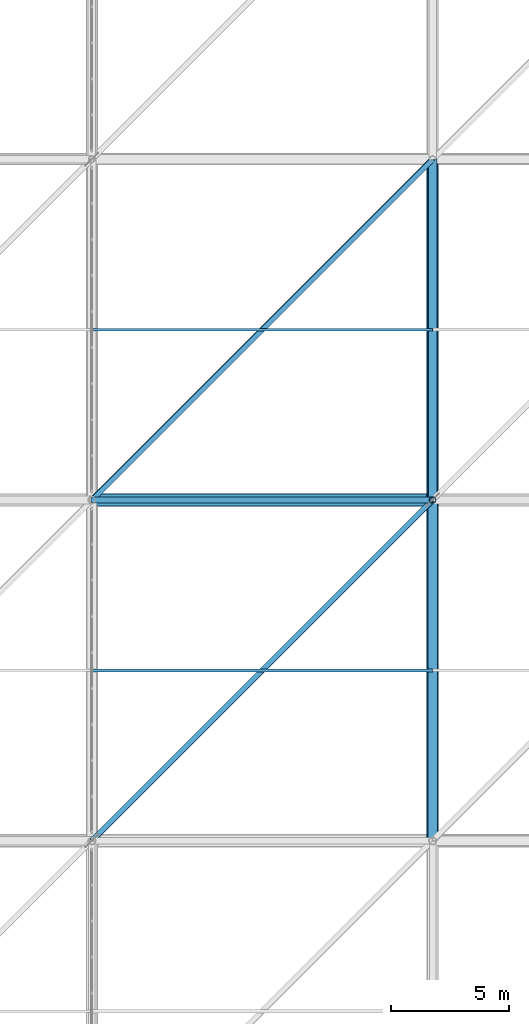
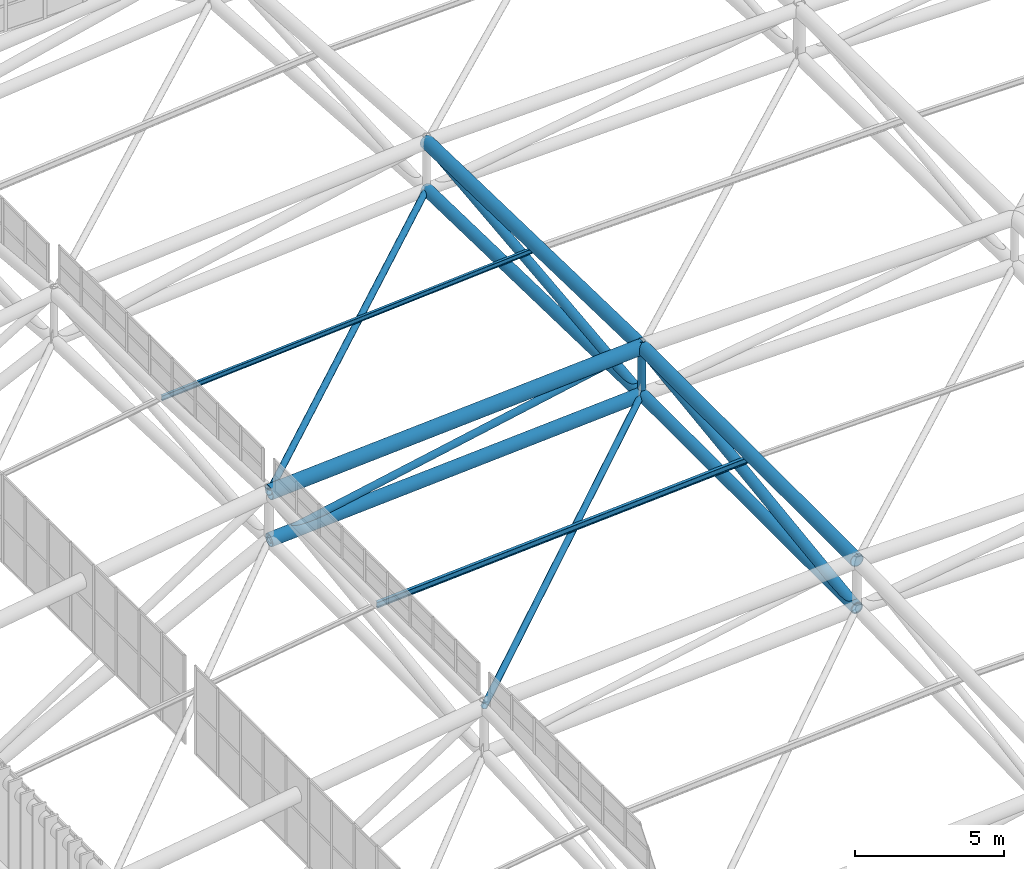
# One storey, part 204 of 397: 8 members, 6 beams.
"""IFC4 building model written with IfcOpenShell, lengths in metres."""

import ifcopenshell
import ifcopenshell.guid

model = None  # the IFC model being written
_history = None  # IfcOwnerHistory: only IFC2X3 demands one
_inside = {}  # id of a spatial element -> (the spatial element, [elements in it])
_under = {}  # id of a project, library or spatial element -> (it, [spatial elements below it])
_declared = {}  # id of a project -> (the project, [libraries it declares])
_typed = {}  # id of a type object -> (the type object, [elements of that type])
_made_of = {}  # id of a material, layer set ... -> (it, [elements and type objects made of it])


def new_model(schema):
    """Start an empty IFC model of exactly this schema.

    Asked for "IFC4X3", IfcOpenShell would pick the latest addendum, in which some entities
    have other attributes; the version numbers below select the first issue.
    IFC2X3 requires an IfcOwnerHistory on every rooted entity: one is made here for all.
    """
    global model, _history
    if schema == "IFC4X3":
        model = ifcopenshell.file(schema_version=(4, 3, 0, 0))
    else:
        model = ifcopenshell.file(schema=schema)
    _inside.clear()
    _under.clear()
    _declared.clear()
    _typed.clear()
    _made_of.clear()
    _history = None
    if model.schema == "IFC2X3":
        org = make("IfcOrganization", Name="unknown")
        user = make(
            "IfcPersonAndOrganization",
            ThePerson=make("IfcPerson", FamilyName="unknown"),
            TheOrganization=org,
        )
        app = make(
            "IfcApplication",
            ApplicationDeveloper=org,
            Version="unknown",
            ApplicationFullName="unknown",
            ApplicationIdentifier="unknown",
        )
        _history = make(
            "IfcOwnerHistory",
            OwningUser=user,
            OwningApplication=app,
            ChangeAction="ADDED",
            CreationDate=0,
        )
    return model


def make(cls, **values):
    """One entity of the class cls with the attributes given. An attribute that is None is left unset."""
    return model.create_entity(
        cls, **{name: value for name, value in values.items() if value is not None}
    )


def rooted(cls, **values):
    """An entity with a GlobalId (a new one), such as an element, a storey or a relation."""
    return make(cls, GlobalId=ifcopenshell.guid.new(), OwnerHistory=_history, **values)


def si_unit(unit_type, name, prefix=None):
    """IfcSIUnit, for example si_unit("LENGTHUNIT", "METRE", prefix="MILLI")."""
    return make("IfcSIUnit", UnitType=unit_type, Prefix=prefix, Name=name)


def assignment(units):
    """IfcUnitAssignment: the units of a project."""
    return None if units is None else make("IfcUnitAssignment", Units=units)


def point(xyz):
    """IfcCartesianPoint."""
    return None if xyz is None else make("IfcCartesianPoint", Coordinates=xyz)


def direction(xyz):
    """IfcDirection."""
    return None if xyz is None else make("IfcDirection", DirectionRatios=xyz)


def frame(location, z_axis=None, x_axis=None):
    """IfcAxis2Placement3D, a coordinate frame: its origin and axes. An axis left out is left unset."""
    return make(
        "IfcAxis2Placement3D",
        Location=point(location),
        Axis=direction(z_axis),
        RefDirection=direction(x_axis),
    )


def frame_2d(location, x_axis=None):
    """IfcAxis2Placement2D, a coordinate frame in the plane: its origin and x axis."""
    return make(
        "IfcAxis2Placement2D", Location=point(location), RefDirection=direction(x_axis)
    )


def origin():
    """The frame at (0, 0, 0) with its axes left unset."""
    return frame((0.0, 0.0, 0.0))


def origin_2d():
    """The frame at (0, 0) in the plane with its x axis left unset."""
    return frame_2d((0.0, 0.0))


def place(relative_to, where):
    """IfcLocalPlacement: puts the frame where relative to a parent placement (None: the world)."""
    return make(
        "IfcLocalPlacement", PlacementRelTo=relative_to, RelativePlacement=where
    )


def context(
    kind, dimensions, precision=None, world=None, true_north=None, identifier=None
):
    """IfcGeometricRepresentationContext, for example the 3D "Model" context."""
    return make(
        "IfcGeometricRepresentationContext",
        ContextIdentifier=identifier,
        ContextType=kind,
        CoordinateSpaceDimension=dimensions,
        Precision=precision,
        WorldCoordinateSystem=world,
        TrueNorth=true_north,
    )


def subcontext(parent, identifier, kind, view, scale=None):
    """IfcGeometricRepresentationSubContext, for example "Body" below "Model"."""
    return make(
        "IfcGeometricRepresentationSubContext",
        ContextIdentifier=identifier,
        ContextType=kind,
        ParentContext=parent,
        TargetScale=scale,
        TargetView=view,
    )


def project(units=None, contexts=None):
    """IfcProject with its units and contexts."""
    return rooted(
        "IfcProject",
        Name="project",
        RepresentationContexts=contexts,
        UnitsInContext=assignment(units),
    )


def spatial(cls, under=None, at=None, **own):
    """A site, building, storey or space (cls), placed at a placement, below another one or the project."""
    s = rooted(cls, ObjectPlacement=at, **own)
    if under is not None:
        _under.setdefault(under.id(), (under, []))[1].append(s)
    return s


def profile(cls, at=None, kind="AREA", **sizes):
    """A parametric profile (cls). Its sizes go by their IFC names, for example OverallWidth=200.0."""
    return make(cls, ProfileType=kind, Position=at, **sizes)


def hollow_circle(**sizes):
    """IfcCircleHollowProfileDef."""
    return profile("IfcCircleHollowProfileDef", **sizes)


def i_section(**sizes):
    """IfcIShapeProfileDef."""
    return profile("IfcIShapeProfileDef", **sizes)


def extrude(swept, where, along, depth):
    """IfcExtrudedAreaSolid: the profile swept, set in the frame where, extruded along a direction by depth."""
    return make(
        "IfcExtrudedAreaSolid",
        SweptArea=swept,
        Position=where,
        ExtrudedDirection=direction(along),
        Depth=depth,
    )


def shape(context_of_items, identifier, shape_type, items):
    """IfcShapeRepresentation: the items that make up one representation, for example the "Body"."""
    return make(
        "IfcShapeRepresentation",
        ContextOfItems=context_of_items,
        RepresentationIdentifier=identifier,
        RepresentationType=shape_type,
        Items=items,
    )


def material(Name=None, Category=None):
    """IfcMaterial."""
    return make("IfcMaterial", Name=Name, Category=Category)


def material_profile(
    of_material, cross_section, Name=None, Category=None, Priority=None
):
    """IfcMaterialProfile: a cross section and its material."""
    return make(
        "IfcMaterialProfile",
        Name=Name,
        Material=of_material,
        Profile=cross_section,
        Priority=Priority,
        Category=Category,
    )


def profile_set(profiles, Name=None, composite=None):
    """IfcMaterialProfileSet."""
    return make(
        "IfcMaterialProfileSet",
        Name=Name,
        MaterialProfiles=profiles,
        CompositeProfile=composite,
    )


def made_of(thing, what):
    """Note that an element or type object is made of a material, layer set ...; save() writes the relation."""
    if what is not None:
        _made_of.setdefault(what.id(), (what, []))[1].append(thing)
    return thing


def type_object(cls, material=None, **own):
    """A type object (cls), such as IfcWallType, which elements share."""
    return made_of(rooted(cls, **own), material)


def element(
    cls,
    number,
    at=None,
    inside=None,
    cuts=None,
    type_object=None,
    material=None,
    context=None,
    identifier="Body",
    shape_type=None,
    held_by="IfcProductDefinitionShape",
    body=None,
    shapes=None,
    **own,
):
    """One element of the class cls, such as IfcWall. Its Tag is "e" and its number.

    at: its placement. inside: the storey or other place that contains it. cuts: it is an
    opening in that element (IfcRelVoidsElement). A single representation is given by context,
    identifier, shape_type and body (its items); several are given by shapes. held_by: the class
    of the entity that holds the representations. save() writes the other relations.
    """
    e = rooted(cls, Tag="e%d" % number, ObjectPlacement=at, **own)
    if body is not None:
        shapes = [shape(context, identifier, shape_type, body)]
    if shapes is not None:
        e.Representation = make(held_by, Representations=shapes)
    if inside is not None:
        _inside.setdefault(inside.id(), (inside, []))[1].append(e)
    if cuts is not None:
        rooted(
            "IfcRelVoidsElement", RelatingBuildingElement=cuts, RelatedOpeningElement=e
        )
    if type_object is not None:
        _typed.setdefault(type_object.id(), (type_object, []))[1].append(e)
    return made_of(e, material)


def aggregate(whole, parts):
    """IfcRelAggregates: a whole, such as a stair, and the parts it consists of."""
    return rooted("IfcRelAggregates", RelatingObject=whole, RelatedObjects=parts)


def save(model, path):
    """Write the relations noted so far, then the file.

    IfcRelAggregates (storeys below a building ...), IfcRelContainedInSpatialStructure (elements
    in a storey), IfcRelDefinesByType, IfcRelAssociatesMaterial and IfcRelDeclares: one each for
    every whole, place, type object, material and project.
    """
    for whole, parts in _under.values():
        aggregate(whole, parts)
    for where, things in _inside.values():
        rooted(
            "IfcRelContainedInSpatialStructure",
            RelatedElements=things,
            RelatingStructure=where,
        )
    for kind, things in _typed.values():
        rooted("IfcRelDefinesByType", RelatedObjects=things, RelatingType=kind)
    for what, things in _made_of.values():
        rooted("IfcRelAssociatesMaterial", RelatedObjects=things, RelatingMaterial=what)
    for by, libraries in _declared.values():
        rooted("IfcRelDeclares", RelatingContext=by, RelatedDefinitions=libraries)
    model.write(path)


model = new_model("IFC4")

# Units and contexts
model_context = context("Model", 3, precision=1e-05, world=origin(), true_north=direction((0.0, 1.0)))
body_context = subcontext(model_context, "Body", "Model", "MODEL_VIEW")
ifc_project = project(units=[si_unit("LENGTHUNIT", "METRE"), si_unit("AREAUNIT", "SQUARE_METRE"), si_unit("VOLUMEUNIT", "CUBIC_METRE"), si_unit("PLANEANGLEUNIT", "RADIAN"), si_unit("MASSUNIT", "GRAM", prefix="KILO")], contexts=[model_context])

# Site, building, storey
site_placement = place(None, origin())
site = spatial("IfcSite", under=ifc_project, at=site_placement, CompositionType="ELEMENT")
building_placement = place(site_placement, origin())
building = spatial("IfcBuilding", under=site, at=building_placement, Name="Qandorah Velis Arena", CompositionType="ELEMENT")
storey_placement = place(building_placement, frame((0.0, 0.0, 27.5)))
storey = spatial("IfcBuildingStorey", under=building, at=storey_placement, Name="RF", CompositionType="ELEMENT", Elevation=27.5)

# Members
ifc_material = material(Name="Steel S355", Category="steel")
ifc_material_profile_1 = material_profile(ifc_material, i_section(OverallWidth=0.10009765625, OverallDepth=0.199951171875, WebThickness=0.005615234375, FlangeThickness=0.008544921875, FilletRadius=0.011962890625, at=origin_2d()), Name="IPE 200")
ifc_profile_set_1 = profile_set([ifc_material_profile_1], Name="Steel S355")
member_type_1 = type_object("IfcMemberType", Name="STR-PRL-IPE200", PredefinedType="PURLIN", material=ifc_profile_set_1)
member_1_placement = place(storey_placement, frame((28.800048828125, 79.199951171875, 8.92529296875), z_axis=(0.997482679922, 0.0, 0.07091052994), x_axis=(0.0, 1.0, 0.0)))
element("IfcMember", 1, at=member_1_placement, inside=storey, type_object=member_type_1, Name="Arena roof purlin PRL-1.4", PredefinedType="PURLIN", context=body_context, shape_type="SweptSolid", body=[
    extrude(i_section(OverallWidth=0.10009765625, OverallDepth=0.199951171875, WebThickness=0.005615234375, FlangeThickness=0.008544921875, FilletRadius=0.011962890625, at=origin_2d()), origin(), (0.0, 0.0, 1.0), 14.436279296875),
])
ifc_material_profile_2 = material_profile(ifc_material, i_section(OverallWidth=0.1201171875, OverallDepth=0.239990234375, WebThickness=0.006103515625, FlangeThickness=0.009765625, FilletRadius=0.014892578125, at=origin_2d()), Name="IPE 240")
ifc_profile_set_2 = profile_set([ifc_material_profile_2], Name="Steel S355")
member_type_2 = type_object("IfcMemberType", Name="STR-PRL-IPE240", PredefinedType="PURLIN", material=ifc_profile_set_2)
member_2_placement = place(storey_placement, frame((28.800048828125, 64.800048828125, 9.213134765625), z_axis=(0.997983908539, 0.0, 0.063467458562), x_axis=(0.0, 1.0, 0.0)))
element("IfcMember", 2, at=member_2_placement, inside=storey, type_object=member_type_2, Name="Arena roof purlin PRL-1.3", PredefinedType="PURLIN", context=body_context, shape_type="SweptSolid", body=[
    extrude(i_section(OverallWidth=0.1201171875, OverallDepth=0.239990234375, WebThickness=0.006103515625, FlangeThickness=0.009765625, FilletRadius=0.014892578125, at=origin_2d()), origin(), (0.0, 0.0, 1.0), 14.428955078125),
])

# Beams
ifc_material_profile_3 = material_profile(ifc_material, hollow_circle(Radius=0.228515625, WallThickness=0.01611328125, at=origin_2d()), Name="CHS 457x16")
ifc_profile_set_3 = profile_set([ifc_material_profile_3], Name="Steel S355")
beam_type_1 = type_object("IfcBeamType", Name="STR-SFC-CHS457X16", PredefinedType="USERDEFINED", material=ifc_profile_set_3)
beam_1_placement = place(storey_placement, frame((43.199951171875, 57.60009765625, 8.39892578125), z_axis=(0.0, 1.0, 0.0), x_axis=(-1.0, 0.0, 0.0)))
element("IfcBeam", 3, at=beam_1_placement, inside=storey, type_object=beam_type_1, Name="Space frame roof truss bottom chord Y 2.3", ObjectType="ROOF TRUSS", PredefinedType="USERDEFINED", context=body_context, shape_type="SweptSolid", body=[
    extrude(hollow_circle(Radius=0.228515625, WallThickness=0.01611328125, at=origin_2d()), origin(), (0.0, 0.0, 1.0), 14.39990234375),
])
beam_2_placement = place(storey_placement, frame((43.199951171875, 72.0, 8.39892578125), z_axis=(0.0, 0.999687455822, -0.024999813457), x_axis=(-1.0, 0.0, 0.0)))
element("IfcBeam", 4, at=beam_2_placement, inside=storey, type_object=beam_type_1, Name="Space frame roof truss bottom chord Y 2.4", ObjectType="ROOF TRUSS", PredefinedType="USERDEFINED", context=body_context, shape_type="SweptSolid", body=[
    extrude(hollow_circle(Radius=0.228515625, WallThickness=0.01611328125, at=origin_2d()), origin(), (0.0, 0.0, 1.0), 14.404296875),
])
ifc_material_profile_4 = material_profile(ifc_material, hollow_circle(Radius=0.25390625, WallThickness=0.02001953125, at=origin_2d()), Name="CHS 508x20")
ifc_profile_set_4 = profile_set([ifc_material_profile_4], Name="Steel S355")
beam_type_2 = type_object("IfcBeamType", Name="STR-SFC-CHS508X20", PredefinedType="USERDEFINED", material=ifc_profile_set_4)
beam_3_placement = place(storey_placement, frame((43.199951171875, 57.60009765625, 10.34912109375), z_axis=(0.0, 1.0, 0.0), x_axis=(-1.0, 0.0, 0.0)))
element("IfcBeam", 5, at=beam_3_placement, inside=storey, type_object=beam_type_2, Name="Space frame roof truss top chord Y 2.3", ObjectType="ROOF TRUSS", PredefinedType="USERDEFINED", context=body_context, shape_type="SweptSolid", body=[
    extrude(hollow_circle(Radius=0.25390625, WallThickness=0.02001953125, at=origin_2d()), origin(), (0.0, 0.0, 1.0), 14.39990234375),
])
beam_4_placement = place(storey_placement, frame((43.199951171875, 72.0, 10.34912109375), z_axis=(0.0, 0.999687032088, -0.02501675188), x_axis=(-1.0, 0.0, 0.0)))
element("IfcBeam", 6, at=beam_4_placement, inside=storey, type_object=beam_type_2, Name="Space frame roof truss top chord Y 2.4", ObjectType="ROOF TRUSS", PredefinedType="USERDEFINED", context=body_context, shape_type="SweptSolid", body=[
    extrude(hollow_circle(Radius=0.25390625, WallThickness=0.02001953125, at=origin_2d()), origin(), (0.0, 0.0, 1.0), 14.404296875),
])
ifc_material_profile_5 = material_profile(ifc_material, hollow_circle(Radius=0.25390625, WallThickness=0.02490234375, at=origin_2d()), Name="CHS 508x25")
ifc_profile_set_5 = profile_set([ifc_material_profile_5], Name="Steel S355")
beam_type_3 = type_object("IfcBeamType", Name="STR-SFC-CHS508X25", PredefinedType="USERDEFINED", material=ifc_profile_set_5)
beam_5_placement = place(storey_placement, frame((28.800048828125, 72.0, 7.483154296875), z_axis=(0.997983908539, 0.0, 0.063467458562), x_axis=(0.0, 1.0, 0.0)))
element("IfcBeam", 7, at=beam_5_placement, inside=storey, type_object=beam_type_3, Name="Space frame roof truss bottom chord X 1.4", ObjectType="ROOF TRUSS", PredefinedType="USERDEFINED", context=body_context, shape_type="SweptSolid", body=[
    extrude(hollow_circle(Radius=0.25390625, WallThickness=0.02490234375, at=origin_2d()), origin(), (0.0, 0.0, 1.0), 14.428955078125),
])
ifc_material_profile_6 = material_profile(ifc_material, hollow_circle(Radius=0.279541015625, WallThickness=0.02490234375, at=origin_2d()), Name="CHS 559x25")
ifc_profile_set_6 = profile_set([ifc_material_profile_6], Name="Steel S355")
beam_type_4 = type_object("IfcBeamType", Name="STR-SFC-CHS559X25", PredefinedType="USERDEFINED", material=ifc_profile_set_6)
beam_6_placement = place(storey_placement, frame((28.800048828125, 72.0, 9.43310546875), z_axis=(0.997982836685, 0.0, 0.063484310523), x_axis=(0.0, 1.0, 0.0)))
element("IfcBeam", 8, at=beam_6_placement, inside=storey, type_object=beam_type_4, Name="Space frame roof truss top chord X 1.4", ObjectType="ROOF TRUSS", PredefinedType="USERDEFINED", context=body_context, shape_type="SweptSolid", body=[
    extrude(hollow_circle(Radius=0.279541015625, WallThickness=0.02490234375, at=origin_2d()), origin(), (0.0, 0.0, 1.0), 14.428955078125),
])

# Members
ifc_material_profile_7 = material_profile(ifc_material, hollow_circle(Radius=0.122314453125, WallThickness=0.012451171875, at=origin_2d()), Name="CHS 244.5x12.5")
ifc_profile_set_7 = profile_set([ifc_material_profile_7], Name="Steel S355")
member_type_3 = type_object("IfcMemberType", Name="STR-SFD-CHS244X12", PredefinedType="STRUT", material=ifc_profile_set_7)
member_3_placement = place(storey_placement, frame((43.199951171875, 72.0, 8.39892578125), z_axis=(-0.706196744506, -0.706196744506, 0.050718005658), x_axis=(0.707106781187, -0.707106781187, 0.0)))
element("IfcMember", 9, at=member_3_placement, inside=storey, type_object=member_type_3, Name="Space frame roof spatial diagonal 1.3", PredefinedType="STRUT", context=body_context, shape_type="SweptSolid", body=[
    extrude(hollow_circle(Radius=0.122314453125, WallThickness=0.012451171875, at=origin_2d()), origin(), (0.0, 0.0, 1.0), 20.390869140625),
])
member_4_placement = place(storey_placement, frame((43.199951171875, 86.39990234375, 8.038818359375), z_axis=(-0.705455250124, -0.705455250124, 0.068306516114), x_axis=(0.707106781187, -0.707106781187, 0.0)))
element("IfcMember", 10, at=member_4_placement, inside=storey, type_object=member_type_3, Name="Space frame roof spatial diagonal 1.4", PredefinedType="STRUT", context=body_context, shape_type="SweptSolid", body=[
    extrude(hollow_circle(Radius=0.122314453125, WallThickness=0.012451171875, at=origin_2d()), origin(), (0.0, 0.0, 1.0), 20.412109375),
])
ifc_material_profile_8 = material_profile(ifc_material, hollow_circle(Radius=0.136474609375, WallThickness=0.010009765625, at=origin_2d()), Name="CHS 273x10")
ifc_profile_set_8 = profile_set([ifc_material_profile_8], Name="Steel S355")
member_type_4 = type_object("IfcMemberType", Name="STR-SFD-CHS273X10", PredefinedType="STRUT", material=ifc_profile_set_8)
member_5_placement = place(storey_placement, frame((28.800048828125, 72.0, 7.483154296875), z_axis=(0.980763795836, 0.0, 0.195198301165), x_axis=(0.0, 1.0, 0.0)))
element("IfcMember", 11, at=member_5_placement, inside=storey, type_object=member_type_4, Name="Space frame roof diagonal X 1.4", PredefinedType="STRUT", context=body_context, shape_type="SweptSolid", body=[
    extrude(hollow_circle(Radius=0.136474609375, WallThickness=0.010009765625, at=origin_2d()), origin(), (0.0, 0.0, 1.0), 14.682373046875),
])
ifc_material_profile_9 = material_profile(ifc_material, hollow_circle(Radius=0.136474609375, WallThickness=0.012451171875, at=origin_2d()), Name="CHS 273x12.5")
ifc_profile_set_9 = profile_set([ifc_material_profile_9], Name="Steel S355")
member_type_5 = type_object("IfcMemberType", Name="STR-SFD-CHS273X12", PredefinedType="STRUT", material=ifc_profile_set_9)
member_6_placement = place(storey_placement, frame((43.199951171875, 72.0, 8.39892578125), z_axis=(0.0, 0.0, 1.0), x_axis=(1.0, 0.0, 0.0)))
element("IfcMember", 12, at=member_6_placement, inside=storey, type_object=member_type_5, Name="Space frame roof vertical post 2.4", PredefinedType="STRUT", context=body_context, shape_type="SweptSolid", body=[
    extrude(hollow_circle(Radius=0.136474609375, WallThickness=0.012451171875, at=origin_2d()), origin(), (0.0, 0.0, 1.0), 2.2099609375),
])
ifc_material_profile_10 = material_profile(ifc_material, hollow_circle(Radius=0.177734375, WallThickness=0.012451171875, at=origin_2d()), Name="CHS 355.6x12.5")
ifc_profile_set_10 = profile_set([ifc_material_profile_10], Name="Steel S355")
member_type_6 = type_object("IfcMemberType", Name="STR-SFD-CHS355X12", PredefinedType="STRUT", material=ifc_profile_set_10)
member_7_placement = place(storey_placement, frame((43.199951171875, 72.0, 8.39892578125), z_axis=(0.0, 0.993960355169, 0.109739748277), x_axis=(-1.0, 0.0, 0.0)))
element("IfcMember", 13, at=member_7_placement, inside=storey, type_object=member_type_6, Name="Space frame roof diagonal Y 2.4", PredefinedType="STRUT", context=body_context, shape_type="SweptSolid", body=[
    extrude(hollow_circle(Radius=0.177734375, WallThickness=0.012451171875, at=origin_2d()), origin(), (0.0, 0.0, 1.0), 14.4873046875),
])
ifc_material_profile_11 = material_profile(ifc_material, hollow_circle(Radius=0.203125, WallThickness=0.01611328125, at=origin_2d()), Name="CHS 406.4x16")
ifc_profile_set_11 = profile_set([ifc_material_profile_11], Name="Steel S355")
member_type_7 = type_object("IfcMemberType", Name="STR-SFD-CHS406X16", PredefinedType="STRUT", material=ifc_profile_set_11)
member_8_placement = place(storey_placement, frame((43.199951171875, 57.60009765625, 8.39892578125), z_axis=(0.0, 0.990953459516, 0.134205965118), x_axis=(-1.0, 0.0, 0.0)))
element("IfcMember", 14, at=member_8_placement, inside=storey, type_object=member_type_7, Name="Space frame roof diagonal Y 2.3", PredefinedType="STRUT", context=body_context, shape_type="SweptSolid", body=[
    extrude(hollow_circle(Radius=0.203125, WallThickness=0.01611328125, at=origin_2d()), origin(), (0.0, 0.0, 1.0), 14.53125),
])

save(model, "model.ifc")
